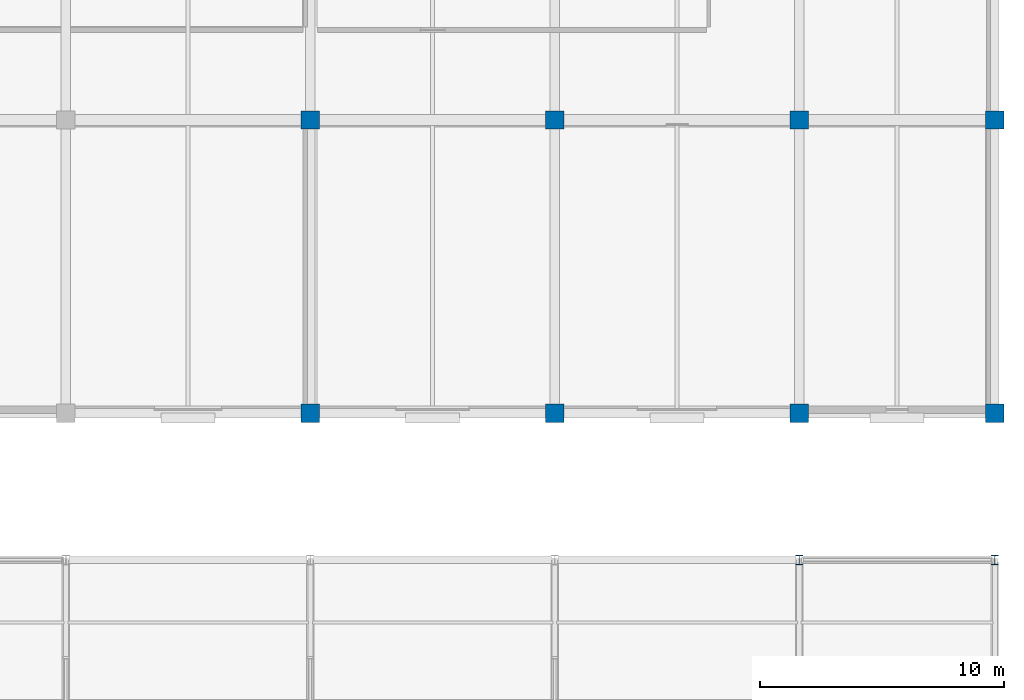
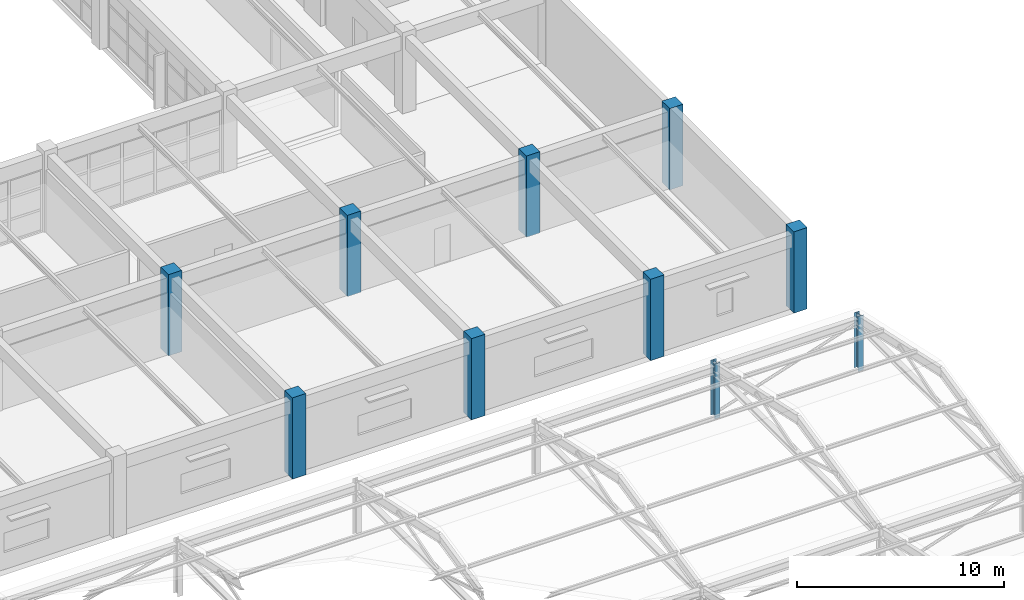
# One storey, part 13 of 109: 10 columns.
"""IFC4 building model written with IfcOpenShell, lengths in metres."""

import ifcopenshell
import ifcopenshell.guid

model = None  # the IFC model being written
_history = None  # IfcOwnerHistory: only IFC2X3 demands one
_inside = {}  # id of a spatial element -> (the spatial element, [elements in it])
_under = {}  # id of a project, library or spatial element -> (it, [spatial elements below it])
_declared = {}  # id of a project -> (the project, [libraries it declares])
_typed = {}  # id of a type object -> (the type object, [elements of that type])
_made_of = {}  # id of a material, layer set ... -> (it, [elements and type objects made of it])


def new_model(schema):
    """Start an empty IFC model of exactly this schema.

    Asked for "IFC4X3", IfcOpenShell would pick the latest addendum, in which some entities
    have other attributes; the version numbers below select the first issue.
    IFC2X3 requires an IfcOwnerHistory on every rooted entity: one is made here for all.
    """
    global model, _history
    if schema == "IFC4X3":
        model = ifcopenshell.file(schema_version=(4, 3, 0, 0))
    else:
        model = ifcopenshell.file(schema=schema)
    _inside.clear()
    _under.clear()
    _declared.clear()
    _typed.clear()
    _made_of.clear()
    _history = None
    if model.schema == "IFC2X3":
        org = make("IfcOrganization", Name="unknown")
        user = make(
            "IfcPersonAndOrganization",
            ThePerson=make("IfcPerson", FamilyName="unknown"),
            TheOrganization=org,
        )
        app = make(
            "IfcApplication",
            ApplicationDeveloper=org,
            Version="unknown",
            ApplicationFullName="unknown",
            ApplicationIdentifier="unknown",
        )
        _history = make(
            "IfcOwnerHistory",
            OwningUser=user,
            OwningApplication=app,
            ChangeAction="ADDED",
            CreationDate=0,
        )
    return model


def make(cls, **values):
    """One entity of the class cls with the attributes given. An attribute that is None is left unset."""
    return model.create_entity(
        cls, **{name: value for name, value in values.items() if value is not None}
    )


def rooted(cls, **values):
    """An entity with a GlobalId (a new one), such as an element, a storey or a relation."""
    return make(cls, GlobalId=ifcopenshell.guid.new(), OwnerHistory=_history, **values)


def si_unit(unit_type, name, prefix=None):
    """IfcSIUnit, for example si_unit("LENGTHUNIT", "METRE", prefix="MILLI")."""
    return make("IfcSIUnit", UnitType=unit_type, Prefix=prefix, Name=name)


def assignment(units):
    """IfcUnitAssignment: the units of a project."""
    return None if units is None else make("IfcUnitAssignment", Units=units)


def point(xyz):
    """IfcCartesianPoint."""
    return None if xyz is None else make("IfcCartesianPoint", Coordinates=xyz)


def direction(xyz):
    """IfcDirection."""
    return None if xyz is None else make("IfcDirection", DirectionRatios=xyz)


def frame(location, z_axis=None, x_axis=None):
    """IfcAxis2Placement3D, a coordinate frame: its origin and axes. An axis left out is left unset."""
    return make(
        "IfcAxis2Placement3D",
        Location=point(location),
        Axis=direction(z_axis),
        RefDirection=direction(x_axis),
    )


def frame_2d(location, x_axis=None):
    """IfcAxis2Placement2D, a coordinate frame in the plane: its origin and x axis."""
    return make(
        "IfcAxis2Placement2D", Location=point(location), RefDirection=direction(x_axis)
    )


def origin():
    """The frame at (0, 0, 0) with its axes left unset."""
    return frame((0.0, 0.0, 0.0))


def origin_2d():
    """The frame at (0, 0) in the plane with its x axis left unset."""
    return frame_2d((0.0, 0.0))


def place(relative_to, where):
    """IfcLocalPlacement: puts the frame where relative to a parent placement (None: the world)."""
    return make(
        "IfcLocalPlacement", PlacementRelTo=relative_to, RelativePlacement=where
    )


def context(
    kind, dimensions, precision=None, world=None, true_north=None, identifier=None
):
    """IfcGeometricRepresentationContext, for example the 3D "Model" context."""
    return make(
        "IfcGeometricRepresentationContext",
        ContextIdentifier=identifier,
        ContextType=kind,
        CoordinateSpaceDimension=dimensions,
        Precision=precision,
        WorldCoordinateSystem=world,
        TrueNorth=true_north,
    )


def subcontext(parent, identifier, kind, view, scale=None):
    """IfcGeometricRepresentationSubContext, for example "Body" below "Model"."""
    return make(
        "IfcGeometricRepresentationSubContext",
        ContextIdentifier=identifier,
        ContextType=kind,
        ParentContext=parent,
        TargetScale=scale,
        TargetView=view,
    )


def project(units=None, contexts=None):
    """IfcProject with its units and contexts."""
    return rooted(
        "IfcProject",
        Name="project",
        RepresentationContexts=contexts,
        UnitsInContext=assignment(units),
    )


def spatial(cls, under=None, at=None, **own):
    """A site, building, storey or space (cls), placed at a placement, below another one or the project."""
    s = rooted(cls, ObjectPlacement=at, **own)
    if under is not None:
        _under.setdefault(under.id(), (under, []))[1].append(s)
    return s


def profile(cls, at=None, kind="AREA", **sizes):
    """A parametric profile (cls). Its sizes go by their IFC names, for example OverallWidth=200.0."""
    return make(cls, ProfileType=kind, Position=at, **sizes)


def rectangle(**sizes):
    """IfcRectangleProfileDef."""
    return profile("IfcRectangleProfileDef", **sizes)


def i_section(**sizes):
    """IfcIShapeProfileDef."""
    return profile("IfcIShapeProfileDef", **sizes)


def extrude(swept, where, along, depth):
    """IfcExtrudedAreaSolid: the profile swept, set in the frame where, extruded along a direction by depth."""
    return make(
        "IfcExtrudedAreaSolid",
        SweptArea=swept,
        Position=where,
        ExtrudedDirection=direction(along),
        Depth=depth,
    )


def shape(context_of_items, identifier, shape_type, items):
    """IfcShapeRepresentation: the items that make up one representation, for example the "Body"."""
    return make(
        "IfcShapeRepresentation",
        ContextOfItems=context_of_items,
        RepresentationIdentifier=identifier,
        RepresentationType=shape_type,
        Items=items,
    )


def material(Name=None, Category=None):
    """IfcMaterial."""
    return make("IfcMaterial", Name=Name, Category=Category)


def material_profile(
    of_material, cross_section, Name=None, Category=None, Priority=None
):
    """IfcMaterialProfile: a cross section and its material."""
    return make(
        "IfcMaterialProfile",
        Name=Name,
        Material=of_material,
        Profile=cross_section,
        Priority=Priority,
        Category=Category,
    )


def profile_set(profiles, Name=None, composite=None):
    """IfcMaterialProfileSet."""
    return make(
        "IfcMaterialProfileSet",
        Name=Name,
        MaterialProfiles=profiles,
        CompositeProfile=composite,
    )


def made_of(thing, what):
    """Note that an element or type object is made of a material, layer set ...; save() writes the relation."""
    if what is not None:
        _made_of.setdefault(what.id(), (what, []))[1].append(thing)
    return thing


def type_object(cls, material=None, **own):
    """A type object (cls), such as IfcWallType, which elements share."""
    return made_of(rooted(cls, **own), material)


def element(
    cls,
    number,
    at=None,
    inside=None,
    cuts=None,
    type_object=None,
    material=None,
    context=None,
    identifier="Body",
    shape_type=None,
    held_by="IfcProductDefinitionShape",
    body=None,
    shapes=None,
    **own,
):
    """One element of the class cls, such as IfcWall. Its Tag is "e" and its number.

    at: its placement. inside: the storey or other place that contains it. cuts: it is an
    opening in that element (IfcRelVoidsElement). A single representation is given by context,
    identifier, shape_type and body (its items); several are given by shapes. held_by: the class
    of the entity that holds the representations. save() writes the other relations.
    """
    e = rooted(cls, Tag="e%d" % number, ObjectPlacement=at, **own)
    if body is not None:
        shapes = [shape(context, identifier, shape_type, body)]
    if shapes is not None:
        e.Representation = make(held_by, Representations=shapes)
    if inside is not None:
        _inside.setdefault(inside.id(), (inside, []))[1].append(e)
    if cuts is not None:
        rooted(
            "IfcRelVoidsElement", RelatingBuildingElement=cuts, RelatedOpeningElement=e
        )
    if type_object is not None:
        _typed.setdefault(type_object.id(), (type_object, []))[1].append(e)
    return made_of(e, material)


def aggregate(whole, parts):
    """IfcRelAggregates: a whole, such as a stair, and the parts it consists of."""
    return rooted("IfcRelAggregates", RelatingObject=whole, RelatedObjects=parts)


def save(model, path):
    """Write the relations noted so far, then the file.

    IfcRelAggregates (storeys below a building ...), IfcRelContainedInSpatialStructure (elements
    in a storey), IfcRelDefinesByType, IfcRelAssociatesMaterial and IfcRelDeclares: one each for
    every whole, place, type object, material and project.
    """
    for whole, parts in _under.values():
        aggregate(whole, parts)
    for where, things in _inside.values():
        rooted(
            "IfcRelContainedInSpatialStructure",
            RelatedElements=things,
            RelatingStructure=where,
        )
    for kind, things in _typed.values():
        rooted("IfcRelDefinesByType", RelatedObjects=things, RelatingType=kind)
    for what, things in _made_of.values():
        rooted("IfcRelAssociatesMaterial", RelatedObjects=things, RelatingMaterial=what)
    for by, libraries in _declared.values():
        rooted("IfcRelDeclares", RelatingContext=by, RelatedDefinitions=libraries)
    model.write(path)


model = new_model("IFC4")

# Units and contexts
model_context = context("Model", 3, precision=1e-05, world=origin(), true_north=direction((0.0, 1.0)))
body_context = subcontext(model_context, "Body", "Model", "MODEL_VIEW")
ifc_project = project(units=[si_unit("LENGTHUNIT", "METRE"), si_unit("AREAUNIT", "SQUARE_METRE"), si_unit("VOLUMEUNIT", "CUBIC_METRE"), si_unit("PLANEANGLEUNIT", "RADIAN"), si_unit("MASSUNIT", "GRAM", prefix="KILO")], contexts=[model_context])

# Site, building, storey
site_placement = place(None, origin())
site = spatial("IfcSite", under=ifc_project, at=site_placement, CompositionType="ELEMENT")
building_placement = place(site_placement, origin())
building = spatial("IfcBuilding", under=site, at=building_placement, Name="Kivolera Central Railway Station", CompositionType="ELEMENT")
storey_placement = place(building_placement, frame((0.0, 0.0, 9.60009765625)))
storey = spatial("IfcBuildingStorey", under=building, at=storey_placement, Name="L02", CompositionType="ELEMENT", Elevation=9.60009765625)

# Columns
ifc_material_1 = material(Name="Concrete C40/50", Category="concrete")
ifc_material_profile_1 = material_profile(ifc_material_1, rectangle(XDim=0.75, YDim=0.75, at=origin_2d()), Name="RC 750x750")
ifc_profile_set_1 = profile_set([ifc_material_profile_1], Name="Concrete C40/50")
column_type_1 = type_object("IfcColumnType", Name="COL-RC-750", PredefinedType="COLUMN", material=ifc_profile_set_1)
for number, where, z_axis, x_axis, name in (
    (1, (168.0, 54.0, 0.0), (0.0, 0.0, 1.0), (1.0, 0.0, 0.0), "L02 Wing Column 17-E"),
    (2, (168.0, 66.0, 0.0), (0.0, 0.0, 1.0), (1.0, 0.0, 0.0), "L02 Wing Column 17-F"),
    (3, (178.0, 54.0, 0.0), (0.0, 0.0, 1.0), (1.0, 0.0, 0.0), "L02 Wing Column 18-E"),
    (4, (178.0, 66.0, 0.0), (0.0, 0.0, 1.0), (1.0, 0.0, 0.0), "L02 Wing Column 18-F"),
    (5, (188.0, 54.0, 0.0), (0.0, 0.0, 1.0), (1.0, 0.0, 0.0), "L02 Wing Column 19-E"),
    (6, (188.0, 66.0, 0.0), (0.0, 0.0, 1.0), (1.0, 0.0, 0.0), "L02 Wing Column 19-F"),
    (7, (196.0, 54.0, 0.0), (0.0, 0.0, 1.0), (1.0, 0.0, 0.0), "L02 Wing Column 20-E"),
    (8, (196.0, 66.0, 0.0), (0.0, 0.0, 1.0), (1.0, 0.0, 0.0), "L02 Wing Column 20-F"),
):
    element("IfcColumn", number, at=place(storey_placement, frame(where, z_axis=z_axis, x_axis=x_axis)), inside=storey, type_object=column_type_1, Name=name, PredefinedType="COLUMN", context=body_context, shape_type="SweptSolid", body=[
        extrude(rectangle(XDim=0.75, YDim=0.75, at=origin_2d()), origin(), (0.0, 0.0, 1.0), 4.7998046875),
    ])
ifc_material_2 = material(Name="Steel S355", Category="steel")
ifc_material_profile_2 = material_profile(ifc_material_2, i_section(OverallWidth=0.300048828125, OverallDepth=0.39990234375, WebThickness=0.013427734375, FlangeThickness=0.02392578125, FilletRadius=0.027099609375, at=origin_2d()), Name="HEB 400")
ifc_profile_set_2 = profile_set([ifc_material_profile_2], Name="Steel S355")
column_type_2 = type_object("IfcColumnType", Name="COL-STL-HEB400", PredefinedType="COLUMN", material=ifc_profile_set_2)
for number, where, z_axis, x_axis, name in (
    (9, (188.0, 48.0, 0.0), (0.0, 0.0, 1.0), (1.0, 0.0, 0.0), "L02 Train Shed Upper Mast 19-D"),
    (10, (196.0, 48.0, 0.0), (0.0, 0.0, 1.0), (1.0, 0.0, 0.0), "L02 Train Shed Upper Mast 20-D"),
):
    element("IfcColumn", number, at=place(storey_placement, frame(where, z_axis=z_axis, x_axis=x_axis)), inside=storey, type_object=column_type_2, Name=name, PredefinedType="COLUMN", context=body_context, shape_type="SweptSolid", body=[
        extrude(i_section(OverallWidth=0.300048828125, OverallDepth=0.39990234375, WebThickness=0.013427734375, FlangeThickness=0.02392578125, FilletRadius=0.027099609375, at=origin_2d()), origin(), (0.0, 0.0, 1.0), 3.25),
    ])

save(model, "model.ifc")
